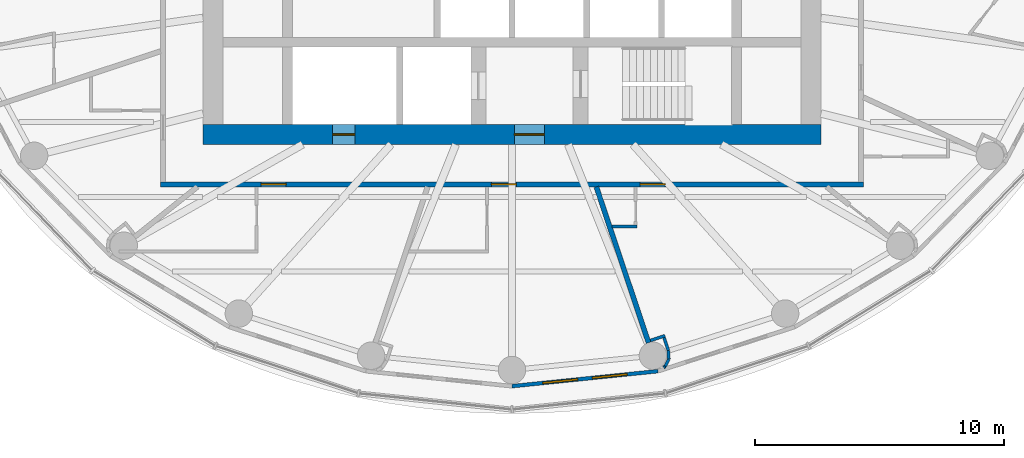
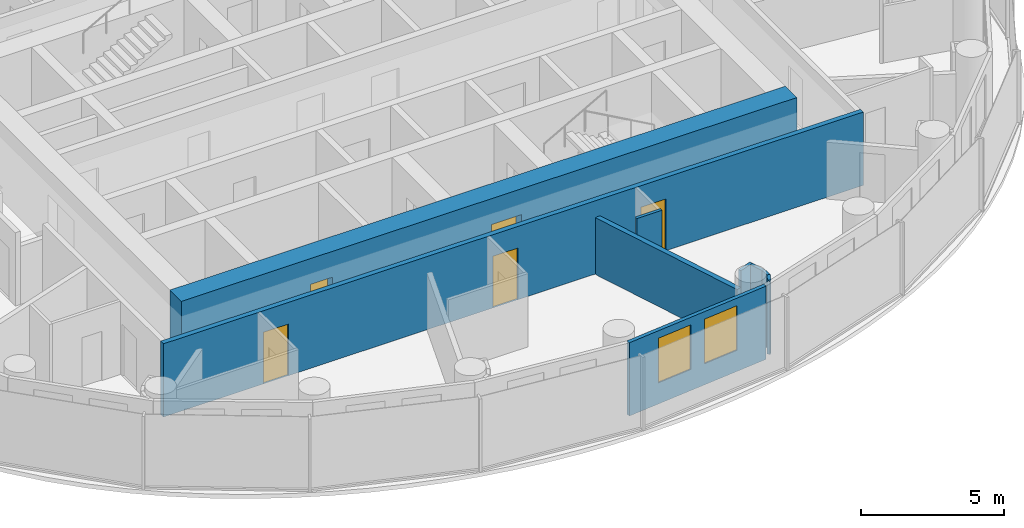
# One storey, part 7 of 16: 10 walls, 5 doors, 2 windows, 7 openings.
"""IFC4 building model written with IfcOpenShell, lengths in metres."""

import ifcopenshell
import ifcopenshell.guid

model = None  # the IFC model being written
_history = None  # IfcOwnerHistory: only IFC2X3 demands one
_inside = {}  # id of a spatial element -> (the spatial element, [elements in it])
_under = {}  # id of a project, library or spatial element -> (it, [spatial elements below it])
_declared = {}  # id of a project -> (the project, [libraries it declares])
_typed = {}  # id of a type object -> (the type object, [elements of that type])
_made_of = {}  # id of a material, layer set ... -> (it, [elements and type objects made of it])


def new_model(schema):
    """Start an empty IFC model of exactly this schema.

    Asked for "IFC4X3", IfcOpenShell would pick the latest addendum, in which some entities
    have other attributes; the version numbers below select the first issue.
    IFC2X3 requires an IfcOwnerHistory on every rooted entity: one is made here for all.
    """
    global model, _history
    if schema == "IFC4X3":
        model = ifcopenshell.file(schema_version=(4, 3, 0, 0))
    else:
        model = ifcopenshell.file(schema=schema)
    _inside.clear()
    _under.clear()
    _declared.clear()
    _typed.clear()
    _made_of.clear()
    _history = None
    if model.schema == "IFC2X3":
        org = make("IfcOrganization", Name="unknown")
        user = make(
            "IfcPersonAndOrganization",
            ThePerson=make("IfcPerson", FamilyName="unknown"),
            TheOrganization=org,
        )
        app = make(
            "IfcApplication",
            ApplicationDeveloper=org,
            Version="unknown",
            ApplicationFullName="unknown",
            ApplicationIdentifier="unknown",
        )
        _history = make(
            "IfcOwnerHistory",
            OwningUser=user,
            OwningApplication=app,
            ChangeAction="ADDED",
            CreationDate=0,
        )
    return model


def make(cls, **values):
    """One entity of the class cls with the attributes given. An attribute that is None is left unset."""
    return model.create_entity(
        cls, **{name: value for name, value in values.items() if value is not None}
    )


def rooted(cls, **values):
    """An entity with a GlobalId (a new one), such as an element, a storey or a relation."""
    return make(cls, GlobalId=ifcopenshell.guid.new(), OwnerHistory=_history, **values)


def si_unit(unit_type, name, prefix=None):
    """IfcSIUnit, for example si_unit("LENGTHUNIT", "METRE", prefix="MILLI")."""
    return make("IfcSIUnit", UnitType=unit_type, Prefix=prefix, Name=name)


def assignment(units):
    """IfcUnitAssignment: the units of a project."""
    return None if units is None else make("IfcUnitAssignment", Units=units)


def point(xyz):
    """IfcCartesianPoint."""
    return None if xyz is None else make("IfcCartesianPoint", Coordinates=xyz)


def direction(xyz):
    """IfcDirection."""
    return None if xyz is None else make("IfcDirection", DirectionRatios=xyz)


def frame(location, z_axis=None, x_axis=None):
    """IfcAxis2Placement3D, a coordinate frame: its origin and axes. An axis left out is left unset."""
    return make(
        "IfcAxis2Placement3D",
        Location=point(location),
        Axis=direction(z_axis),
        RefDirection=direction(x_axis),
    )


def frame_2d(location, x_axis=None):
    """IfcAxis2Placement2D, a coordinate frame in the plane: its origin and x axis."""
    return make(
        "IfcAxis2Placement2D", Location=point(location), RefDirection=direction(x_axis)
    )


def origin():
    """The frame at (0, 0, 0) with its axes left unset."""
    return frame((0.0, 0.0, 0.0))


def place(relative_to, where):
    """IfcLocalPlacement: puts the frame where relative to a parent placement (None: the world)."""
    return make(
        "IfcLocalPlacement", PlacementRelTo=relative_to, RelativePlacement=where
    )


def context(
    kind, dimensions, precision=None, world=None, true_north=None, identifier=None
):
    """IfcGeometricRepresentationContext, for example the 3D "Model" context."""
    return make(
        "IfcGeometricRepresentationContext",
        ContextIdentifier=identifier,
        ContextType=kind,
        CoordinateSpaceDimension=dimensions,
        Precision=precision,
        WorldCoordinateSystem=world,
        TrueNorth=true_north,
    )


def subcontext(parent, identifier, kind, view, scale=None):
    """IfcGeometricRepresentationSubContext, for example "Body" below "Model"."""
    return make(
        "IfcGeometricRepresentationSubContext",
        ContextIdentifier=identifier,
        ContextType=kind,
        ParentContext=parent,
        TargetScale=scale,
        TargetView=view,
    )


def project(units=None, contexts=None):
    """IfcProject with its units and contexts."""
    return rooted(
        "IfcProject",
        Name="project",
        RepresentationContexts=contexts,
        UnitsInContext=assignment(units),
    )


def spatial(cls, under=None, at=None, **own):
    """A site, building, storey or space (cls), placed at a placement, below another one or the project."""
    s = rooted(cls, ObjectPlacement=at, **own)
    if under is not None:
        _under.setdefault(under.id(), (under, []))[1].append(s)
    return s


def profile(cls, at=None, kind="AREA", **sizes):
    """A parametric profile (cls). Its sizes go by their IFC names, for example OverallWidth=200.0."""
    return make(cls, ProfileType=kind, Position=at, **sizes)


def rectangle(**sizes):
    """IfcRectangleProfileDef."""
    return profile("IfcRectangleProfileDef", **sizes)


def extrude(swept, where, along, depth):
    """IfcExtrudedAreaSolid: the profile swept, set in the frame where, extruded along a direction by depth."""
    return make(
        "IfcExtrudedAreaSolid",
        SweptArea=swept,
        Position=where,
        ExtrudedDirection=direction(along),
        Depth=depth,
    )


def shape(context_of_items, identifier, shape_type, items):
    """IfcShapeRepresentation: the items that make up one representation, for example the "Body"."""
    return make(
        "IfcShapeRepresentation",
        ContextOfItems=context_of_items,
        RepresentationIdentifier=identifier,
        RepresentationType=shape_type,
        Items=items,
    )


def material(Name=None, Category=None):
    """IfcMaterial."""
    return make("IfcMaterial", Name=Name, Category=Category)


def layer(
    of_material, thickness, ventilated=None, Name=None, Category=None, Priority=None
):
    """IfcMaterialLayer: one layer of a wall or slab, of a material (None: an air gap)."""
    return make(
        "IfcMaterialLayer",
        Material=of_material,
        LayerThickness=thickness,
        IsVentilated=ventilated,
        Name=Name,
        Category=Category,
        Priority=Priority,
    )


def layer_set(layers, Name=None):
    """IfcMaterialLayerSet."""
    return make("IfcMaterialLayerSet", MaterialLayers=layers, LayerSetName=Name)


def made_of(thing, what):
    """Note that an element or type object is made of a material, layer set ...; save() writes the relation."""
    if what is not None:
        _made_of.setdefault(what.id(), (what, []))[1].append(thing)
    return thing


def type_object(cls, material=None, **own):
    """A type object (cls), such as IfcWallType, which elements share."""
    return made_of(rooted(cls, **own), material)


def element(
    cls,
    number,
    at=None,
    inside=None,
    cuts=None,
    type_object=None,
    material=None,
    context=None,
    identifier="Body",
    shape_type=None,
    held_by="IfcProductDefinitionShape",
    body=None,
    shapes=None,
    **own,
):
    """One element of the class cls, such as IfcWall. Its Tag is "e" and its number.

    at: its placement. inside: the storey or other place that contains it. cuts: it is an
    opening in that element (IfcRelVoidsElement). A single representation is given by context,
    identifier, shape_type and body (its items); several are given by shapes. held_by: the class
    of the entity that holds the representations. save() writes the other relations.
    """
    e = rooted(cls, Tag="e%d" % number, ObjectPlacement=at, **own)
    if body is not None:
        shapes = [shape(context, identifier, shape_type, body)]
    if shapes is not None:
        e.Representation = make(held_by, Representations=shapes)
    if inside is not None:
        _inside.setdefault(inside.id(), (inside, []))[1].append(e)
    if cuts is not None:
        rooted(
            "IfcRelVoidsElement", RelatingBuildingElement=cuts, RelatedOpeningElement=e
        )
    if type_object is not None:
        _typed.setdefault(type_object.id(), (type_object, []))[1].append(e)
    return made_of(e, material)


def fill(opening, filler):
    """IfcRelFillsElement: the door or window that sits in an opening."""
    return rooted(
        "IfcRelFillsElement",
        RelatingOpeningElement=opening,
        RelatedBuildingElement=filler,
    )


def aggregate(whole, parts):
    """IfcRelAggregates: a whole, such as a stair, and the parts it consists of."""
    return rooted("IfcRelAggregates", RelatingObject=whole, RelatedObjects=parts)


def save(model, path):
    """Write the relations noted so far, then the file.

    IfcRelAggregates (storeys below a building ...), IfcRelContainedInSpatialStructure (elements
    in a storey), IfcRelDefinesByType, IfcRelAssociatesMaterial and IfcRelDeclares: one each for
    every whole, place, type object, material and project.
    """
    for whole, parts in _under.values():
        aggregate(whole, parts)
    for where, things in _inside.values():
        rooted(
            "IfcRelContainedInSpatialStructure",
            RelatedElements=things,
            RelatingStructure=where,
        )
    for kind, things in _typed.values():
        rooted("IfcRelDefinesByType", RelatedObjects=things, RelatingType=kind)
    for what, things in _made_of.values():
        rooted("IfcRelAssociatesMaterial", RelatedObjects=things, RelatingMaterial=what)
    for by, libraries in _declared.values():
        rooted("IfcRelDeclares", RelatingContext=by, RelatedDefinitions=libraries)
    model.write(path)


model = new_model("IFC4")

# Units and contexts
model_context = context("Model", 3, precision=1e-05, world=origin(), true_north=direction((0.0, 1.0)))
body_context = subcontext(model_context, "Body", "Model", "MODEL_VIEW")
ifc_project = project(units=[si_unit("LENGTHUNIT", "METRE"), si_unit("AREAUNIT", "SQUARE_METRE"), si_unit("VOLUMEUNIT", "CUBIC_METRE"), si_unit("PLANEANGLEUNIT", "RADIAN"), si_unit("MASSUNIT", "GRAM", prefix="KILO")], contexts=[model_context])

# Site, building, storey
site_placement = place(None, origin())
site = spatial("IfcSite", under=ifc_project, at=site_placement, CompositionType="ELEMENT")
building_placement = place(site_placement, origin())
building = spatial("IfcBuilding", under=site, at=building_placement, Name="Hankou Lantern Tower", CompositionType="ELEMENT")
storey_placement = place(building_placement, frame((0.0, 0.0, 169.800048828125)))
storey = spatial("IfcBuildingStorey", under=building, at=storey_placement, Name="L45", CompositionType="ELEMENT", Elevation=169.800048828125)

# Wall, openings, doors
ifc_material_1 = material(Name="Concrete C60", Category="concrete")
ifc_layer_1 = layer(ifc_material_1, 0.800048828125)
ifc_layer_set_1 = layer_set([ifc_layer_1], Name="Concrete C60")
wall_type_1 = type_object("IfcWallType", Name="CW2 CORE WALL 800", PredefinedType="SHEAR", material=ifc_layer_set_1)
wall_1_placement = place(storey_placement, frame((12.39990234375, -8.0, 0.0), z_axis=(0.0, 0.0, 1.0), x_axis=(-1.0, 0.0, 0.0)))
wall_1 = element("IfcWall", 1, at=wall_1_placement, inside=storey, type_object=wall_type_1, Name="Core wall south L45", PredefinedType="SHEAR", context=body_context, shape_type="SweptSolid", body=[
    extrude(rectangle(XDim=24.7998046875, YDim=0.800048828125, at=frame_2d((12.39990234375, 0.0))), origin(), (0.0, 0.0, 1.0), 3.300048828125),
])
opening_1_placement = place(wall_1_placement, frame((11.10009765625, 0.0, 0.0)))
opening_1 = element("IfcOpeningElement", 2, at=opening_1_placement, cuts=wall_1, Name="Opening D5", PredefinedType="OPENING", context=body_context, shape_type="SweptSolid", body=[
    extrude(rectangle(XDim=1.199951171875, YDim=2.199951171875, at=frame_2d((0.60009765625, 1.10009765625))), frame((0.0, 0.409912109375, 0.0), z_axis=(0.0, -1.0, 0.0), x_axis=(1.0, 0.0, 0.0)), (0.0, 0.0, 1.0), 0.820068359375),
])
opening_2_placement = place(wall_1_placement, frame((18.699951171875, 0.0, 0.0)))
opening_2 = element("IfcOpeningElement", 3, at=opening_2_placement, cuts=wall_1, Name="Opening D7", PredefinedType="OPENING", context=body_context, shape_type="SweptSolid", body=[
    extrude(rectangle(XDim=0.89990234375, YDim=2.199951171875, at=frame_2d((0.449951171875, 1.10009765625))), frame((0.0, 0.409912109375, 0.0), z_axis=(0.0, -1.0, 0.0), x_axis=(1.0, 0.0, 0.0)), (0.0, 0.0, 1.0), 0.820068359375),
])
ifc_material_2 = material(Name="Steel door leaf", Category="steel")
door_type_1 = type_object("IfcDoorType", Name="D5 STAIR LOBBY DOOR 1200X2200", OperationType="SINGLE_SWING_LEFT", PredefinedType="DOOR", material=ifc_material_2)
door_1_placement = place(opening_1_placement, origin())
door_1 = element("IfcDoor", 4, at=door_1_placement, inside=storey, type_object=door_type_1, Name="Stair B lobby door", OperationType="SINGLE_SWING_LEFT", OverallHeight=2.199951171875, OverallWidth=1.199951171875, PredefinedType="DOOR", context=body_context, shape_type="SweptSolid", body=[
    extrude(rectangle(XDim=1.199951171875, YDim=2.199951171875, at=frame_2d((0.60009765625, 1.10009765625))), frame((0.0, 0.02490234375, 0.0), z_axis=(0.0, -1.0, 0.0), x_axis=(1.0, 0.0, 0.0)), (0.0, 0.0, 1.0), 0.050048828125),
])
fill(opening_1, door_1)
ifc_material_3 = material(Name="Steel door leaf", Category="steel")
door_type_2 = type_object("IfcDoorType", Name="D7 RISER DOOR 900X2200", OperationType="SINGLE_SWING_LEFT", PredefinedType="DOOR", material=ifc_material_3)
door_2_placement = place(opening_2_placement, origin())
door_2 = element("IfcDoor", 5, at=door_2_placement, inside=storey, type_object=door_type_2, Name="Riser S1 door", OperationType="SINGLE_SWING_RIGHT", OverallHeight=2.199951171875, OverallWidth=0.89990234375, PredefinedType="DOOR", context=body_context, shape_type="SweptSolid", body=[
    extrude(rectangle(XDim=0.89990234375, YDim=2.199951171875, at=frame_2d((0.449951171875, 1.10009765625))), frame((0.0, 0.02490234375, 0.0), z_axis=(0.0, -1.0, 0.0), x_axis=(1.0, 0.0, 0.0)), (0.0, 0.0, 1.0), 0.050048828125),
])
fill(opening_2, door_2)

# Wall, openings, windows
ifc_material_4 = material(Name="Aluminium spandrel panel on steel studs", Category="steel")
ifc_layer_2 = layer(ifc_material_4, 0.14990234375)
ifc_layer_set_2 = layer_set([ifc_layer_2], Name="Aluminium spandrel panel on steel studs")
wall_type_2 = type_object("IfcWallType", Name="EW1 INNER SKIN WALL 150", PredefinedType="ELEMENTEDWALL", material=ifc_layer_set_2)
wall_2_placement = place(storey_placement, frame((0.0, -18.10009765625, 0.0), z_axis=(0.0, 0.0, 1.0), x_axis=(0.994751738032, 0.102318032045, 0.0)))
wall_2 = element("IfcWall", 6, at=wall_2_placement, inside=storey, type_object=wall_type_2, Name="Inner skin R19-R20 L45", PredefinedType="ELEMENTEDWALL", context=body_context, shape_type="SweptSolid", body=[
    extrude(rectangle(XDim=5.891357421875, YDim=0.14990234375, at=frame_2d((2.94580078125, 0.0))), origin(), (0.0, 0.0, 1.0), 3.119873046875),
])
opening_3_placement = place(wall_2_placement, frame((1.24560546875, 0.0, 0.89990234375)))
opening_3 = element("IfcOpeningElement", 7, at=opening_3_placement, cuts=wall_2, Name="Opening W3", PredefinedType="OPENING", context=body_context, shape_type="SweptSolid", body=[
    extrude(rectangle(XDim=1.39990234375, YDim=1.89990234375, at=frame_2d((0.699951171875, 0.949951171875))), frame((0.0, 0.0849609375, 0.0), z_axis=(0.0, -1.0, 0.0), x_axis=(1.0, 0.0, 0.0)), (0.0, 0.0, 1.0), 0.169921875),
])
opening_4_placement = place(wall_2_placement, frame((3.24560546875, 0.0, 0.89990234375)))
opening_4 = element("IfcOpeningElement", 8, at=opening_4_placement, cuts=wall_2, Name="Opening W3", PredefinedType="OPENING", context=body_context, shape_type="SweptSolid", body=[
    extrude(rectangle(XDim=1.39990234375, YDim=1.89990234375, at=frame_2d((0.699951171875, 0.949951171875))), frame((0.0, 0.0849609375, 0.0), z_axis=(0.0, -1.0, 0.0), x_axis=(1.0, 0.0, 0.0)), (0.0, 0.0, 1.0), 0.169921875),
])
ifc_material_5 = material(Name="Aluminium framed double glazed window", Category="aluminium")
window_type = type_object("IfcWindowType", Name="W3 GUEST ROOM WINDOW 1400X1900", PartitioningType="DOUBLE_PANEL_VERTICAL", PredefinedType="WINDOW", material=ifc_material_5)
window_1_placement = place(opening_3_placement, origin())
window_1 = element("IfcWindow", 9, at=window_1_placement, inside=storey, type_object=window_type, Name="Window R19.1 L45", OverallHeight=1.89990234375, OverallWidth=1.39990234375, PartitioningType="SINGLE_PANEL", PredefinedType="WINDOW", context=body_context, shape_type="SweptSolid", body=[
    extrude(rectangle(XDim=1.39990234375, YDim=1.89990234375, at=frame_2d((0.699951171875, 0.949951171875))), frame((0.0, 0.030029296875, 0.0), z_axis=(0.0, -1.0, 0.0), x_axis=(1.0, 0.0, 0.0)), (0.0, 0.0, 1.0), 0.06005859375),
])
fill(opening_3, window_1)
window_2_placement = place(opening_4_placement, origin())
window_2 = element("IfcWindow", 10, at=window_2_placement, inside=storey, type_object=window_type, Name="Window R19.2 L45", OverallHeight=1.89990234375, OverallWidth=1.39990234375, PartitioningType="SINGLE_PANEL", PredefinedType="WINDOW", context=body_context, shape_type="SweptSolid", body=[
    extrude(rectangle(XDim=1.39990234375, YDim=1.89990234375, at=frame_2d((0.699951171875, 0.949951171875))), frame((0.0, 0.030029296875, 0.0), z_axis=(0.0, -1.0, 0.0), x_axis=(1.0, 0.0, 0.0)), (0.0, 0.0, 1.0), 0.06005859375),
])
fill(opening_4, window_2)

# Wall
ifc_material_6 = material(Name="Masonry lightweight concrete block", Category="masonry")
ifc_layer_3 = layer(ifc_material_6, 0.199951171875)
ifc_layer_set_3 = layer_set([ifc_layer_3], Name="Masonry lightweight concrete block")
wall_type_3 = type_object("IfcWallType", Name="IW1 GUEST ROOM PARTY WALL 200", PredefinedType="PARTITIONING", material=ifc_layer_set_3)
wall_3_placement = place(storey_placement, frame((3.3828125, -10.10009765625, 0.0), z_axis=(0.0, 0.0, 1.0), x_axis=(0.317615120474, -0.948219718866, 0.0)))
element("IfcWall", 11, at=wall_3_placement, inside=storey, type_object=wall_type_3, Name="Party wall R20", PredefinedType="PARTITIONING", context=body_context, shape_type="SweptSolid", body=[
    extrude(rectangle(XDim=6.597412109375, YDim=0.199951171875, at=frame_2d((3.298828125, 0.0))), origin(), (0.0, 0.0, 1.0), 2.419921875),
])

# Wall, openings, doors
ifc_material_7 = material(Name="Masonry lightweight concrete block", Category="masonry")
ifc_layer_4 = layer(ifc_material_7, 0.199951171875)
ifc_layer_set_4 = layer_set([ifc_layer_4], Name="Masonry lightweight concrete block")
wall_type_4 = type_object("IfcWallType", Name="IW2 CORRIDOR WALL 200", PredefinedType="PARTITIONING", material=ifc_layer_set_4)
wall_4_placement = place(storey_placement, frame((14.10009765625, -10.0, 0.0), z_axis=(0.0, 0.0, 1.0), x_axis=(-1.0, 0.0, 0.0)))
wall_4 = element("IfcWall", 12, at=wall_4_placement, inside=storey, type_object=wall_type_4, Name="Corridor wall south", PredefinedType="PARTITIONING", context=body_context, shape_type="SweptSolid", body=[
    extrude(rectangle(XDim=28.2001953125, YDim=0.199951171875, at=frame_2d((14.10009765625, 0.0))), origin(), (0.0, 0.0, 1.0), 3.119873046875),
])
opening_5_placement = place(wall_4_placement, frame((23.1650390625, 0.0, 0.0)))
opening_5 = element("IfcOpeningElement", 13, at=opening_5_placement, cuts=wall_4, Name="Opening D2", PredefinedType="OPENING", context=body_context, shape_type="SweptSolid", body=[
    extrude(rectangle(XDim=1.0, YDim=2.199951171875, at=frame_2d((0.5, 1.10009765625))), frame((0.0, 0.10986328125, 0.0), z_axis=(0.0, -1.0, 0.0), x_axis=(1.0, 0.0, 0.0)), (0.0, 0.0, 1.0), 0.219970703125),
])
opening_6_placement = place(wall_4_placement, frame((13.9228515625, 0.0, 0.0)))
opening_6 = element("IfcOpeningElement", 14, at=opening_6_placement, cuts=wall_4, Name="Opening D2", PredefinedType="OPENING", context=body_context, shape_type="SweptSolid", body=[
    extrude(rectangle(XDim=1.0, YDim=2.199951171875, at=frame_2d((0.5, 1.10009765625))), frame((0.0, 0.10986328125, 0.0), z_axis=(0.0, -1.0, 0.0), x_axis=(1.0, 0.0, 0.0)), (0.0, 0.0, 1.0), 0.219970703125),
])
opening_7_placement = place(wall_4_placement, frame((7.95703125, 0.0, 0.0)))
opening_7 = element("IfcOpeningElement", 15, at=opening_7_placement, cuts=wall_4, Name="Opening D2", PredefinedType="OPENING", context=body_context, shape_type="SweptSolid", body=[
    extrude(rectangle(XDim=1.0, YDim=2.199951171875, at=frame_2d((0.5, 1.10009765625))), frame((0.0, 0.10986328125, 0.0), z_axis=(0.0, -1.0, 0.0), x_axis=(1.0, 0.0, 0.0)), (0.0, 0.0, 1.0), 0.219970703125),
])
ifc_material_8 = material(Name="Steel door leaf", Category="steel")
door_type_3 = type_object("IfcDoorType", Name="D2 SUITE DOOR 1000X2200", OperationType="SINGLE_SWING_LEFT", PredefinedType="DOOR", material=ifc_material_8)
door_3_placement = place(opening_5_placement, origin())
door_3 = element("IfcDoor", 16, at=door_3_placement, inside=storey, type_object=door_type_3, Name="Suite door 4501", OperationType="SINGLE_SWING_RIGHT", OverallHeight=2.199951171875, OverallWidth=1.0, PredefinedType="DOOR", context=body_context, shape_type="SweptSolid", body=[
    extrude(rectangle(XDim=1.0, YDim=2.199951171875, at=frame_2d((0.5, 1.10009765625))), frame((0.0, 0.02490234375, 0.0), z_axis=(0.0, -1.0, 0.0), x_axis=(1.0, 0.0, 0.0)), (0.0, 0.0, 1.0), 0.050048828125),
])
fill(opening_5, door_3)
door_4_placement = place(opening_6_placement, origin())
door_4 = element("IfcDoor", 17, at=door_4_placement, inside=storey, type_object=door_type_3, Name="Suite door 4502", OperationType="SINGLE_SWING_RIGHT", OverallHeight=2.199951171875, OverallWidth=1.0, PredefinedType="DOOR", context=body_context, shape_type="SweptSolid", body=[
    extrude(rectangle(XDim=1.0, YDim=2.199951171875, at=frame_2d((0.5, 1.10009765625))), frame((0.0, 0.02490234375, 0.0), z_axis=(0.0, -1.0, 0.0), x_axis=(1.0, 0.0, 0.0)), (0.0, 0.0, 1.0), 0.050048828125),
])
fill(opening_6, door_4)
door_5_placement = place(opening_7_placement, origin())
door_5 = element("IfcDoor", 18, at=door_5_placement, inside=storey, type_object=door_type_3, Name="Suite door 4503C", OperationType="SINGLE_SWING_RIGHT", OverallHeight=2.199951171875, OverallWidth=1.0, PredefinedType="DOOR", context=body_context, shape_type="SweptSolid", body=[
    extrude(rectangle(XDim=1.0, YDim=2.199951171875, at=frame_2d((0.5, 1.10009765625))), frame((0.0, 0.02490234375, 0.0), z_axis=(0.0, -1.0, 0.0), x_axis=(1.0, 0.0, 0.0)), (0.0, 0.0, 1.0), 0.050048828125),
])
fill(opening_7, door_5)

# Walls
ifc_material_9 = material(Name="Masonry lightweight concrete block", Category="masonry")
ifc_layer_5 = layer(ifc_material_9, 0.1201171875)
ifc_layer_set_5 = layer_set([ifc_layer_5], Name="Masonry lightweight concrete block")
wall_type_5 = type_object("IfcWallType", Name="IW3 BATHROOM WALL 120", PredefinedType="PARTITIONING", material=ifc_layer_set_5)
wall_5_placement = place(storey_placement, frame((4.018798828125, -11.699951171875, 0.0), z_axis=(0.0, 0.0, 1.0), x_axis=(1.0, 0.0, 0.0)))
element("IfcWall", 19, at=wall_5_placement, inside=storey, type_object=wall_type_5, Name="Box wall 4503C 1", PredefinedType="PARTITIONING", context=body_context, shape_type="SweptSolid", body=[
    extrude(rectangle(XDim=1.004150390625, YDim=0.1201171875, at=frame_2d((0.501953125, 0.0))), origin(), (0.0, 0.0, 1.0), 3.119873046875),
])
ifc_material_10 = material(Name="Masonry lightweight concrete block", Category="masonry")
ifc_layer_6 = layer(ifc_material_10, 0.1201171875)
ifc_layer_set_6 = layer_set([ifc_layer_6], Name="Masonry lightweight concrete block")
wall_type_6 = type_object("IfcWallType", Name="IW4 PARTITION 120", PredefinedType="PARTITIONING", material=ifc_layer_set_6)
wall_6_placement = place(storey_placement, frame((5.553955078125, -16.267333984375, 0.0), z_axis=(0.0, 0.0, 1.0), x_axis=(0.948163683492, 0.317782361541, 0.0)))
element("IfcWall", 20, at=wall_6_placement, inside=storey, type_object=wall_type_6, Name="Column casing R20 return", PredefinedType="PARTITIONING", context=body_context, shape_type="SweptSolid", body=[
    extrude(rectangle(XDim=0.6123046875, YDim=0.1201171875, at=frame_2d((0.30615234375, 0.0))), origin(), (0.0, 0.0, 1.0), 3.119873046875),
])
wall_7_placement = place(storey_placement, frame((6.0966796875, -16.148681640625, 0.0), z_axis=(0.0, 0.0, 1.0), x_axis=(0.317292604854, -0.948327687514, 0.0)))
element("IfcWall", 21, at=wall_7_placement, inside=storey, type_object=wall_type_6, Name="Column casing R20", PredefinedType="PARTITIONING", context=body_context, shape_type="SweptSolid", body=[
    extrude(rectangle(XDim=0.550048828125, YDim=0.1201171875, at=frame_2d((0.27490234375, 0.0))), origin(), (0.0, 0.0, 1.0), 3.119873046875),
])
for number, where, z_axis, x_axis, name in (
    (22, (6.271240234375, -16.67041015625, 0.0), (0.0, 0.0, 1.0), (0.061477694849, -0.998108457552, 0.0), "Column casing R20"),
    (23, (6.2919921875, -17.00732421875, 0.0), (0.0, 0.0, 1.0), (-0.445477128334, -0.895293319606, 0.0), "Column casing R20"),
):
    element("IfcWall", number, at=place(storey_placement, frame(where, z_axis=z_axis, x_axis=x_axis)), inside=storey, type_object=wall_type_6, Name=name, PredefinedType="PARTITIONING", context=body_context, shape_type="SweptSolid", body=[
        extrude(rectangle(XDim=0.337646484375, YDim=0.1201171875, at=frame_2d((0.1689453125, 0.0))), origin(), (0.0, 0.0, 1.0), 3.119873046875),
    ])
wall_8_placement = place(storey_placement, frame((6.1416015625, -17.3095703125, 0.0), z_axis=(0.0, 0.0, 1.0), x_axis=(-0.835039693181, -0.550189704386, 0.0)))
element("IfcWall", 24, at=wall_8_placement, inside=storey, type_object=wall_type_6, Name="Column casing R20", PredefinedType="PARTITIONING", context=body_context, shape_type="SweptSolid", body=[
    extrude(rectangle(XDim=0.0625, YDim=0.1201171875, at=frame_2d((0.03125, 0.0))), origin(), (0.0, 0.0, 1.0), 3.119873046875),
])

save(model, "model.ifc")
